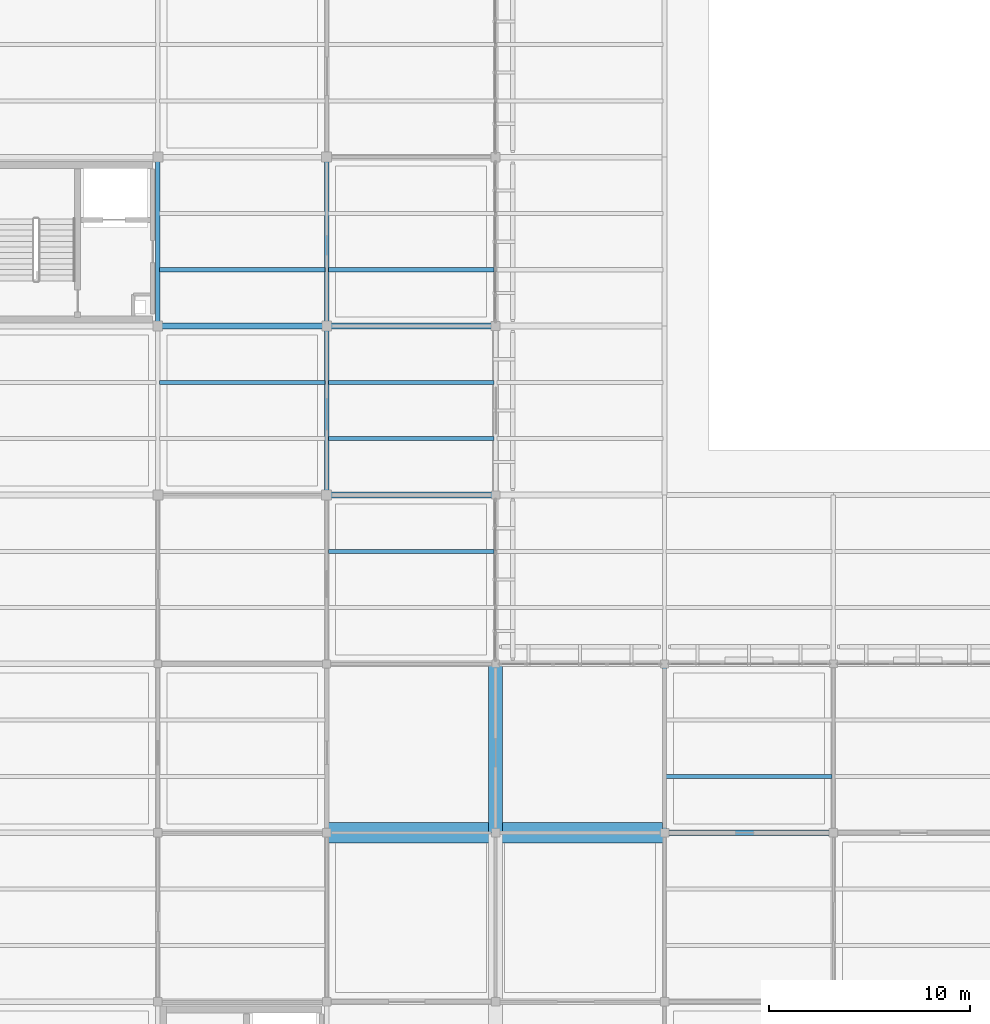
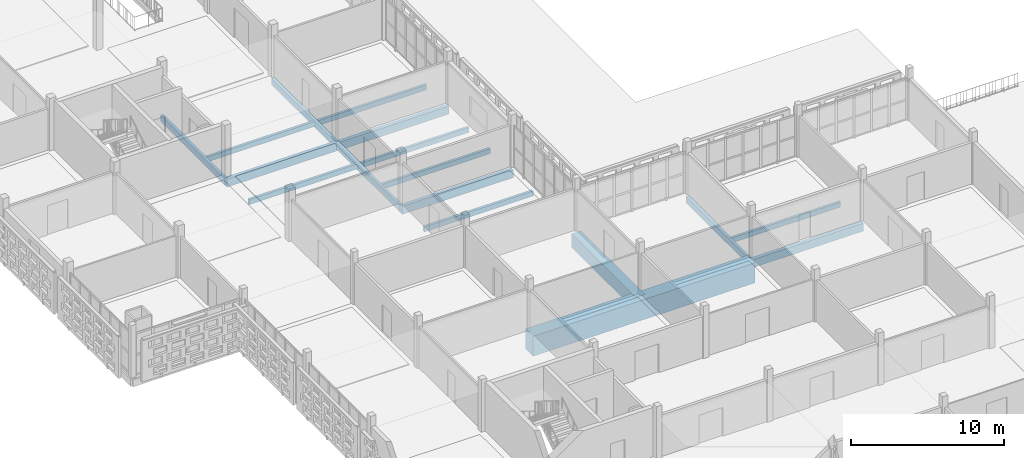
# One storey, part 26 of 166: 17 beams.
"""IFC4 building model written with IfcOpenShell, lengths in metres."""

from ifc_helpers import new_model, si_unit, direction, frame, origin, origin_2d, place, context, subcontext, project, spatial, rectangle, extrude, material, material_profile, profile_set, type_object, element, save


model = new_model("IFC4")

# Units and contexts
model_context = context("Model", 3, precision=1e-05, world=origin(), true_north=direction((0.0, 1.0)))
body_context = subcontext(model_context, "Body", "Model", "MODEL_VIEW")
ifc_project = project(units=[si_unit("LENGTHUNIT", "METRE"), si_unit("AREAUNIT", "SQUARE_METRE"), si_unit("VOLUMEUNIT", "CUBIC_METRE"), si_unit("PLANEANGLEUNIT", "RADIAN"), si_unit("MASSUNIT", "GRAM", prefix="KILO")], contexts=[model_context])

# Site, building, storey
site_placement = place(None, origin())
site = spatial("IfcSite", under=ifc_project, at=site_placement, CompositionType="ELEMENT")
building_placement = place(site_placement, origin())
building = spatial("IfcBuilding", under=site, at=building_placement, Name="Varnapada Polytechnic", CompositionType="ELEMENT")
storey_placement = place(building_placement, frame((0.0, 0.0, 9.60009765625)))
storey = spatial("IfcBuildingStorey", under=building, at=storey_placement, Name="L02", CompositionType="ELEMENT", Elevation=9.60009765625)

# Beams
ifc_material_1 = material(Name="Concrete C40/50", Category="concrete")
ifc_material_profile_1 = material_profile(ifc_material_1, rectangle(XDim=0.699951171875, YDim=1.10009765625, at=origin_2d()), Name="RC 700x1100")
ifc_profile_set_1 = profile_set([ifc_material_profile_1], Name="Concrete C40/50")
beam_type_1 = type_object("IfcBeamType", Name="Heavy podium primary girder BG-01 (RC 700x1100)", PredefinedType="T_BEAM", material=ifc_profile_set_1)
beam_1_placement = place(storey_placement, frame((33.60009765625, 33.60009765625, -0.800048828125), z_axis=(0.0, 1.0, 0.0), x_axis=(-1.0, 0.0, 0.0)))
element("IfcBeam", 1, at=beam_1_placement, inside=storey, type_object=beam_type_1, Name="L02 Lecture transfer tie Y5-6", PredefinedType="T_BEAM", context=body_context, shape_type="SweptSolid", body=[
    extrude(rectangle(XDim=0.699951171875, YDim=1.10009765625, at=origin_2d()), origin(), (0.0, 0.0, 1.0), 8.39990234375),
])
ifc_material_2 = material(Name="Glulam GL32h", Category="wood")
ifc_material_profile_2 = material_profile(ifc_material_2, rectangle(XDim=0.280029296875, YDim=0.639892578125, at=origin_2d()), Name="GL 280x640")
ifc_profile_set_2 = profile_set([ifc_material_profile_2], Name="Glulam GL32h")
beam_type_2 = type_object("IfcBeamType", Name="Laboratory primary glulam girder GG-02 (GL 280x640)", PredefinedType="BEAM", material=ifc_profile_set_2)
beam_2_placement = place(storey_placement, frame((16.800048828125, 58.800048828125, -0.56005859375), z_axis=(1.0, 0.0, 0.0), x_axis=(0.0, 1.0, 0.0)))
element("IfcBeam", 2, at=beam_2_placement, inside=storey, type_object=beam_type_2, Name="L02 beam X 3-4 at Y8", PredefinedType="BEAM", context=body_context, shape_type="SweptSolid", body=[
    extrude(rectangle(XDim=0.280029296875, YDim=0.639892578125, at=origin_2d()), origin(), (0.0, 0.0, 1.0), 8.39990234375),
])
for number, where, z_axis, x_axis, name in (
    (3, (25.199951171875, 50.39990234375, -0.590087890625), (1.0, 0.0, 0.0), (0.0, 1.0, 0.0), "L02 beam X 4-5 at Y7"),
    (4, (25.199951171875, 58.800048828125, -0.590087890625), (1.0, 0.0, 0.0), (0.0, 1.0, 0.0), "L02 beam X 4-5 at Y8"),
):
    element("IfcBeam", number, at=place(storey_placement, frame(where, z_axis=z_axis, x_axis=x_axis)), inside=storey, type_object=beam_type_2, Name=name, PredefinedType="BEAM", context=body_context, shape_type="SweptSolid", body=[
        extrude(rectangle(XDim=0.280029296875, YDim=0.639892578125, at=origin_2d()), origin(), (0.0, 0.0, 1.0), 8.400146484375),
    ])
beam_3_placement = place(storey_placement, frame((42.0, 33.60009765625, -0.56005859375), z_axis=(1.0, 0.0, 0.0), x_axis=(0.0, 1.0, 0.0)))
element("IfcBeam", 5, at=beam_3_placement, inside=storey, type_object=beam_type_2, Name="L02 beam X 6-7 at Y5", PredefinedType="BEAM", context=body_context, shape_type="SweptSolid", body=[
    extrude(rectangle(XDim=0.280029296875, YDim=0.639892578125, at=origin_2d()), origin(), (0.0, 0.0, 1.0), 8.39990234375),
])
ifc_material_profile_3 = material_profile(ifc_material_2, rectangle(XDim=0.219970703125, YDim=0.52001953125, at=origin_2d()), Name="GL 220x520")
ifc_profile_set_3 = profile_set([ifc_material_profile_3], Name="Glulam GL32h")
beam_type_3 = type_object("IfcBeamType", Name="Laboratory transverse glulam beam GB-12 (GL 220x520)", PredefinedType="BEAM", material=ifc_profile_set_3)
beam_4_placement = place(storey_placement, frame((16.800048828125, 58.800048828125, -0.5), z_axis=(0.0, 1.0, 0.0), x_axis=(-1.0, 0.0, 0.0)))
element("IfcBeam", 6, at=beam_4_placement, inside=storey, type_object=beam_type_3, Name="L02 beam Y 8-9 at X3", PredefinedType="BEAM", context=body_context, shape_type="SweptSolid", body=[
    extrude(rectangle(XDim=0.219970703125, YDim=0.52001953125, at=origin_2d()), origin(), (0.0, 0.0, 1.0), 8.39990234375),
])
beam_5_placement = place(storey_placement, frame((25.199951171875, 50.39990234375, -0.5), z_axis=(0.0, 1.0, 0.0), x_axis=(-1.0, 0.0, 0.0)))
element("IfcBeam", 7, at=beam_5_placement, inside=storey, type_object=beam_type_3, Name="L02 beam Y 7-8 at X4", PredefinedType="BEAM", context=body_context, shape_type="SweptSolid", body=[
    extrude(rectangle(XDim=0.219970703125, YDim=0.52001953125, at=origin_2d()), origin(), (0.0, 0.0, 1.0), 8.400146484375),
])
for number, where, z_axis, x_axis, name in (
    (8, (25.199951171875, 58.800048828125, -0.5), (0.0, 1.0, 0.0), (-1.0, 0.0, 0.0), "L02 beam Y 8-9 at X4"),
    (9, (42.0, 33.60009765625, -0.530029296875), (0.0, 1.0, 0.0), (-1.0, 0.0, 0.0), "L02 beam Y 5-6 at X6"),
):
    element("IfcBeam", number, at=place(storey_placement, frame(where, z_axis=z_axis, x_axis=x_axis)), inside=storey, type_object=beam_type_3, Name=name, PredefinedType="BEAM", context=body_context, shape_type="SweptSolid", body=[
        extrude(rectangle(XDim=0.219970703125, YDim=0.52001953125, at=origin_2d()), origin(), (0.0, 0.0, 1.0), 8.39990234375),
    ])
ifc_material_profile_4 = material_profile(ifc_material_1, rectangle(XDim=1.0, YDim=1.60009765625, at=origin_2d()), Name="RC 1000x1600")
ifc_profile_set_4 = profile_set([ifc_material_profile_4], Name="Concrete C40/50")
beam_type_4 = type_object("IfcBeamType", Name="Lecture theatre transfer girder TG-01 (RC 1000x1600)", PredefinedType="T_BEAM", material=ifc_profile_set_4)
beam_6_placement = place(storey_placement, frame((25.199951171875, 33.60009765625, -1.050048828125), z_axis=(1.0, 0.0, 0.0), x_axis=(0.0, 1.0, 0.0)))
element("IfcBeam", 10, at=beam_6_placement, inside=storey, type_object=beam_type_4, Name="L02 Lecture transfer girder X4-6 at Y5", PredefinedType="T_BEAM", context=body_context, shape_type="SweptSolid", body=[
    extrude(rectangle(XDim=1.0, YDim=1.60009765625, at=origin_2d()), origin(), (0.0, 0.0, 1.0), 16.800048828125),
])
ifc_material_profile_5 = material_profile(ifc_material_2, rectangle(XDim=0.199951171875, YDim=0.39990234375, at=origin_2d()), Name="GL 200x400")
ifc_profile_set_5 = profile_set([ifc_material_profile_5], Name="Glulam GL32h")
beam_type_5 = type_object("IfcBeamType", Name="Library/laboratory glulam floor joist GJ-01 (GL 200x400)", PredefinedType="JOIST", material=ifc_profile_set_5)
for number, where, z_axis, x_axis, name in (
    (11, (16.8798828125, 56.0, -0.440185546875), (1.0, 0.0, 0.0), (0.0, 1.0, 0.0), "L02 floor joist 3/7.2"),
    (12, (16.8798828125, 61.60009765625, -0.440185546875), (1.0, 0.0, 0.0), (0.0, 1.0, 0.0), "L02 floor joist 3/8.1"),
):
    element("IfcBeam", number, at=place(storey_placement, frame(where, z_axis=z_axis, x_axis=x_axis)), inside=storey, type_object=beam_type_5, Name=name, PredefinedType="JOIST", context=body_context, shape_type="SweptSolid", body=[
        extrude(rectangle(XDim=0.199951171875, YDim=0.39990234375, at=origin_2d()), origin(), (0.0, 0.0, 1.0), 8.240234375),
    ])
for number, where, z_axis, x_axis, name in (
    (13, (25.280029296875, 47.60009765625, -0.47021484375), (1.0, 0.0, 0.0), (0.0, 1.0, 0.0), "L02 floor joist 4/6.2"),
    (14, (25.280029296875, 53.199951171875, -0.47021484375), (1.0, 0.0, 0.0), (0.0, 1.0, 0.0), "L02 floor joist 4/7.1"),
    (15, (25.280029296875, 56.0, -0.47021484375), (1.0, 0.0, 0.0), (0.0, 1.0, 0.0), "L02 floor joist 4/7.2"),
    (16, (25.280029296875, 61.60009765625, -0.47021484375), (1.0, 0.0, 0.0), (0.0, 1.0, 0.0), "L02 floor joist 4/8.1"),
    (17, (42.080078125, 36.39990234375, -0.440185546875), (1.0, 0.0, 0.0), (0.0, 1.0, 0.0), "L02 floor joist 6/5.1"),
):
    element("IfcBeam", number, at=place(storey_placement, frame(where, z_axis=z_axis, x_axis=x_axis)), inside=storey, type_object=beam_type_5, Name=name, PredefinedType="JOIST", context=body_context, shape_type="SweptSolid", body=[
        extrude(rectangle(XDim=0.199951171875, YDim=0.39990234375, at=origin_2d()), origin(), (0.0, 0.0, 1.0), 8.239990234375),
    ])

save(model, "model.ifc")
